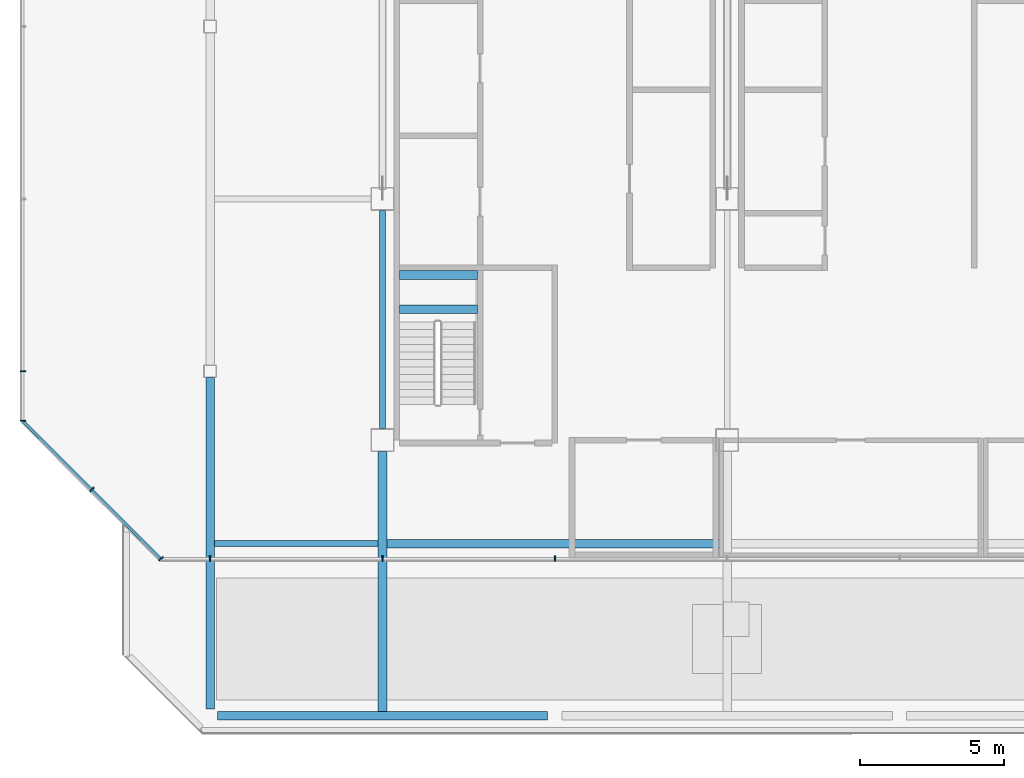
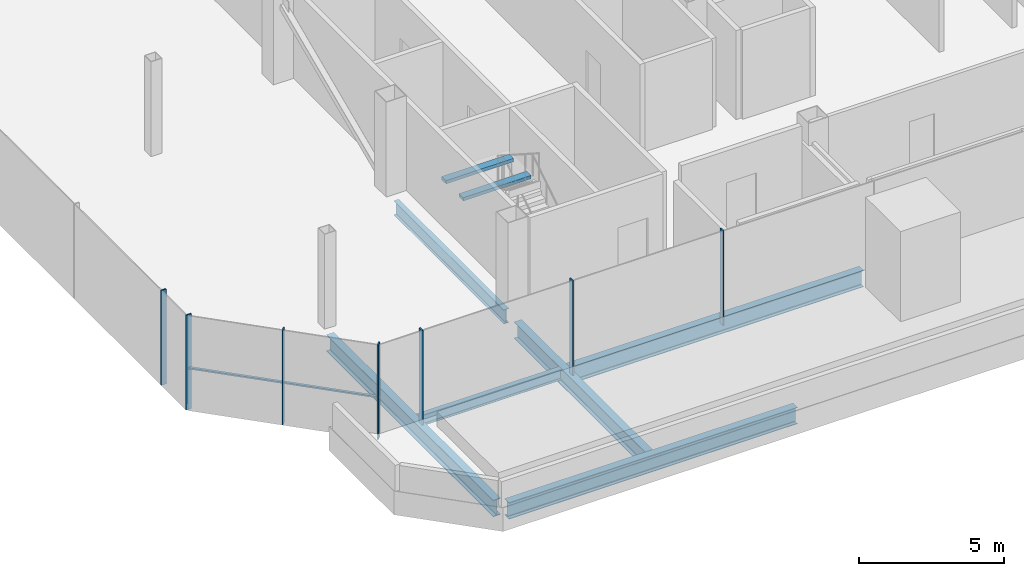
# One storey, part 2 of 18: 8 beams, 8 members, 3 elements without a shape of their own.
"""IFC4 building model written with IfcOpenShell, lengths in metres."""

from ifc_helpers import new_model, si_unit, direction, frame, origin, origin_2d, place, context, subcontext, project, spatial, rectangle, i_section, extrude, material, material_profile, profile_set, type_object, element, aggregate, save


model = new_model("IFC4")

# Units and contexts
model_context = context("Model", 3, precision=1e-05, world=origin(), true_north=direction((0.0, 1.0)))
body_context = subcontext(model_context, "Body", "Model", "MODEL_VIEW")
ifc_project = project(units=[si_unit("LENGTHUNIT", "METRE"), si_unit("AREAUNIT", "SQUARE_METRE"), si_unit("VOLUMEUNIT", "CUBIC_METRE"), si_unit("PLANEANGLEUNIT", "RADIAN"), si_unit("MASSUNIT", "GRAM", prefix="KILO")], contexts=[model_context])

# Site, building, storey
site_placement = place(None, origin())
site = spatial("IfcSite", under=ifc_project, at=site_placement, CompositionType="ELEMENT")
building_placement = place(site_placement, origin())
building = spatial("IfcBuilding", under=site, at=building_placement, Name="Sorahane Residences", CompositionType="ELEMENT")
storey_placement = place(building_placement, frame((0.0, 0.0, 345.800048828125)))
storey = spatial("IfcBuildingStorey", under=building, at=storey_placement, Name="L82", CompositionType="ELEMENT", Elevation=345.800048828125)

# Curtain wall, members
ifc_material_1 = material(Name="Dark low-e glass and black anodised aluminium", Category="aluminium")
curtain_wall_type = type_object("IfcCurtainWallType", Name="Curtain wall CW-6 Crown unitised wall", PredefinedType="NOTDEFINED", material=ifc_material_1)
curtain_wall_1_placement = place(storey_placement, origin())
curtain_wall_1 = element("IfcCurtainWall", 1, at=curtain_wall_1_placement, inside=storey, type_object=curtain_wall_type, Name="CW-6 curtain wall L82 S1", PredefinedType="NOTDEFINED")
ifc_material_2 = material(Name="Black anodised aluminium", Category="aluminium")
ifc_material_profile_1 = material_profile(ifc_material_2, rectangle(XDim=0.199951171875, YDim=0.050048828125, at=origin_2d()), Name="Curtain wall mullion CW-6 black anodised aluminium 50x200")
ifc_profile_set_1 = profile_set([ifc_material_profile_1], Name="Black anodised aluminium")
member_type_1 = type_object("IfcMemberType", Name="Curtain wall mullion CW-6 black anodised aluminium 50x200", PredefinedType="MULLION", material=ifc_profile_set_1)
member_1_placement = place(storey_placement, frame((0.0, 17.47998046875, -0.25), z_axis=(0.0, 0.0, 1.0), x_axis=(0.0, -1.0, 0.0)))
member_1 = element("IfcMember", 2, at=member_1_placement, type_object=member_type_1, Name="CW-6 mullion L82 S1.2", PredefinedType="MULLION", context=body_context, shape_type="SweptSolid", body=[
    extrude(rectangle(XDim=0.199951171875, YDim=0.050048828125, at=origin_2d()), origin(), (0.0, 0.0, 1.0), 4.0),
])
member_2_placement = place(storey_placement, frame((6.0, 17.47998046875, -0.25), z_axis=(0.0, 0.0, 1.0), x_axis=(0.0, -1.0, 0.0)))
member_2 = element("IfcMember", 3, at=member_2_placement, type_object=member_type_1, Name="CW-6 mullion L82 S1.3", PredefinedType="MULLION", context=body_context, shape_type="SweptSolid", body=[
    extrude(rectangle(XDim=0.199951171875, YDim=0.050048828125, at=origin_2d()), origin(), (0.0, 0.0, 1.0), 4.0),
])
member_3_placement = place(storey_placement, frame((12.0, 17.47998046875, -0.25), z_axis=(0.0, 0.0, 1.0), x_axis=(0.0, -1.0, 0.0)))
member_3 = element("IfcMember", 4, at=member_3_placement, type_object=member_type_1, Name="CW-6 mullion L82 S1.4", PredefinedType="MULLION", context=body_context, shape_type="SweptSolid", body=[
    extrude(rectangle(XDim=0.199951171875, YDim=0.050048828125, at=origin_2d()), origin(), (0.0, 0.0, 1.0), 4.0),
])
aggregate(curtain_wall_1, [member_1, member_2, member_3])

curtain_wall_2_placement = place(storey_placement, origin())
curtain_wall_2 = element("IfcCurtainWall", 5, at=curtain_wall_2_placement, inside=storey, type_object=curtain_wall_type, Name="CW-6 curtain wall L82 W1", PredefinedType="NOTDEFINED")
member_4_placement = place(storey_placement, frame((-6.52001953125, 24.0, -0.25), z_axis=(0.0, 0.0, 1.0), x_axis=(-1.0, 0.0, 0.0)))
member_4 = element("IfcMember", 6, at=member_4_placement, type_object=member_type_1, Name="CW-6 mullion L82 W1.5", PredefinedType="MULLION", context=body_context, shape_type="SweptSolid", body=[
    extrude(rectangle(XDim=0.199951171875, YDim=0.050048828125, at=origin_2d()), origin(), (0.0, 0.0, 1.0), 4.0),
])
member_5_placement = place(storey_placement, frame((-6.52001953125, 22.2763671875, -0.25), z_axis=(0.0, 0.0, 1.0), x_axis=(-1.0, 0.0, 0.0)))
member_5 = element("IfcMember", 7, at=member_5_placement, type_object=member_type_1, Name="CW-6 mullion L82 W1.6", PredefinedType="MULLION", context=body_context, shape_type="SweptSolid", body=[
    extrude(rectangle(XDim=0.199951171875, YDim=0.050048828125, at=origin_2d()), origin(), (0.0, 0.0, 1.0), 4.0),
])
aggregate(curtain_wall_2, [member_4, member_5])

curtain_wall_3_placement = place(storey_placement, origin())
curtain_wall_3 = element("IfcCurtainWall", 8, at=curtain_wall_3_placement, inside=storey, type_object=curtain_wall_type, Name="CW-6 curtain wall L82 SW1", PredefinedType="NOTDEFINED")
member_6_placement = place(storey_placement, frame((-4.11767578125, 19.88232421875, -0.25), z_axis=(0.0, 0.0, 1.0), x_axis=(-0.707106781187, -0.707106781187, 0.0)))
member_6 = element("IfcMember", 9, at=member_6_placement, type_object=member_type_1, Name="CW-6 mullion L82 SW1.2", PredefinedType="MULLION", context=body_context, shape_type="SweptSolid", body=[
    extrude(rectangle(XDim=0.199951171875, YDim=0.050048828125, at=origin_2d()), origin(), (0.0, 0.0, 1.0), 4.0),
])
member_7_placement = place(storey_placement, frame((-1.709716796875, 17.474365234375, -0.25), z_axis=(0.0, 0.0, 1.0), x_axis=(-0.707106781187, -0.707106781187, 0.0)))
member_7 = element("IfcMember", 10, at=member_7_placement, type_object=member_type_1, Name="CW-6 mullion L82 SW1.3", PredefinedType="MULLION", context=body_context, shape_type="SweptSolid", body=[
    extrude(rectangle(XDim=0.199951171875, YDim=0.050048828125, at=origin_2d()), origin(), (0.0, 0.0, 1.0), 4.0),
])
ifc_material_3 = material(Name="Black anodised aluminium", Category="aluminium")
ifc_material_profile_2 = material_profile(ifc_material_3, rectangle(XDim=0.10009765625, YDim=0.06005859375, at=origin_2d()), Name="Curtain wall transom CW-6 black anodised aluminium 60x100")
ifc_profile_set_2 = profile_set([ifc_material_profile_2], Name="Black anodised aluminium")
member_type_2 = type_object("IfcMemberType", Name="Curtain wall transom CW-6 black anodised aluminium 60x100", PredefinedType="USERDEFINED", material=ifc_profile_set_2)
member_8_placement = place(storey_placement, frame((-6.51513671875, 22.265625, 1.5), z_axis=(0.707106781187, -0.707106781187, 0.0), x_axis=(0.707106781187, 0.707106781187, 0.0)))
member_8 = element("IfcMember", 11, at=member_8_placement, type_object=member_type_2, Name="CW-6 transom L82 SW1", ObjectType="TRANSOM", PredefinedType="USERDEFINED", context=body_context, shape_type="SweptSolid", body=[
    extrude(rectangle(XDim=0.10009765625, YDim=0.06005859375, at=origin_2d()), origin(), (0.0, 0.0, 1.0), 6.760986328125),
])
aggregate(curtain_wall_3, [member_6, member_7, member_8])

# Beams
ifc_material_4 = material(Name="Concrete C40", Category="concrete")
ifc_material_profile_3 = material_profile(ifc_material_4, rectangle(XDim=0.300048828125, YDim=0.139892578125, at=origin_2d()), Name="300x140")
ifc_profile_set_3 = profile_set([ifc_material_profile_3], Name="Concrete C40")
beam_type_1 = type_object("IfcBeamType", Name="RC landing beam 300 x 140 Concrete C40", PredefinedType="BEAM", material=ifc_profile_set_3)
for number, where, z_axis, x_axis, name in (
    (12, (6.60009765625, 26.159912109375, 1.72998046875), (1.0, 0.0, 0.0), (0.0, 1.0, 0.0), "Landing beam"),
    (13, (6.60009765625, 27.35009765625, 1.72998046875), (1.0, 0.0, 0.0), (0.0, 1.0, 0.0), "Landing beam"),
):
    element("IfcBeam", number, at=place(storey_placement, frame(where, z_axis=z_axis, x_axis=x_axis)), inside=storey, type_object=beam_type_1, Name=name, PredefinedType="BEAM", context=body_context, shape_type="SweptSolid", body=[
        extrude(rectangle(XDim=0.300048828125, YDim=0.139892578125, at=origin_2d()), origin(), (0.0, 0.0, 1.0), 2.699951171875),
    ])
ifc_material_5 = material(Name="Steel Q355B", Category="steel")
ifc_material_profile_4 = material_profile(ifc_material_5, i_section(OverallWidth=0.199951171875, OverallDepth=0.449951171875, WebThickness=0.009033203125, FlangeThickness=0.013916015625, FilletRadius=0.02001953125, at=origin_2d()), Name="HN 450x200x9x14")
ifc_profile_set_4 = profile_set([ifc_material_profile_4], Name="Steel Q355B")
beam_type_2 = type_object("IfcBeamType", Name="Steel floor beam HN 450x200x9x14 Q355B", PredefinedType="BEAM", material=ifc_profile_set_4)
beam_1_placement = place(storey_placement, frame((0.14990234375, 18.0, -0.47509765625), z_axis=(1.0, 0.0, 0.0), x_axis=(0.0, 1.0, 0.0)))
element("IfcBeam", 14, at=beam_1_placement, inside=storey, type_object=beam_type_2, Name="Beam L82 031", PredefinedType="BEAM", context=body_context, shape_type="SweptSolid", body=[
    extrude(i_section(OverallWidth=0.199951171875, OverallDepth=0.449951171875, WebThickness=0.009033203125, FlangeThickness=0.013916015625, FilletRadius=0.02001953125, at=origin_2d()), origin(), (0.0, 0.0, 1.0), 5.7001953125),
])
ifc_material_6 = material(Name="Steel Q355B", Category="steel")
ifc_material_profile_5 = material_profile(ifc_material_6, i_section(OverallWidth=0.199951171875, OverallDepth=0.60009765625, WebThickness=0.010986328125, FlangeThickness=0.01708984375, FilletRadius=0.02392578125, at=origin_2d()), Name="HN 600x200x11x17")
ifc_profile_set_5 = profile_set([ifc_material_profile_5], Name="Steel Q355B")
beam_type_3 = type_object("IfcBeamType", Name="Steel floor beam HN 600x200x11x17 Q355B", PredefinedType="BEAM", material=ifc_profile_set_5)
beam_2_placement = place(storey_placement, frame((6.0, 22.0, -0.550048828125), z_axis=(0.0, 1.0, 0.0), x_axis=(-1.0, 0.0, 0.0)))
element("IfcBeam", 15, at=beam_2_placement, inside=storey, type_object=beam_type_3, Name="Beam L82 012", PredefinedType="BEAM", context=body_context, shape_type="SweptSolid", body=[
    extrude(i_section(OverallWidth=0.199951171875, OverallDepth=0.60009765625, WebThickness=0.010986328125, FlangeThickness=0.01708984375, FilletRadius=0.02392578125, at=origin_2d()), origin(), (0.0, 0.0, 1.0), 7.60009765625),
])
ifc_material_7 = material(Name="Steel Q355B", Category="steel")
ifc_material_profile_6 = material_profile(ifc_material_7, i_section(OverallWidth=0.300048828125, OverallDepth=0.699951171875, WebThickness=0.012939453125, FlangeThickness=0.02392578125, FilletRadius=0.028076171875, at=origin_2d()), Name="HN 700x300x13x24")
ifc_profile_set_6 = profile_set([ifc_material_profile_6], Name="Steel Q355B")
beam_type_4 = type_object("IfcBeamType", Name="Steel floor beam HN 700x300x13x24 Q355B", PredefinedType="BEAM", material=ifc_profile_set_6)
beam_3_placement = place(storey_placement, frame((0.25, 12.0, -0.60009765625), z_axis=(1.0, 0.0, 0.0), x_axis=(0.0, 1.0, 0.0)))
element("IfcBeam", 16, at=beam_3_placement, inside=storey, type_object=beam_type_4, Name="Beam L82 000", PredefinedType="BEAM", context=body_context, shape_type="SweptSolid", body=[
    extrude(i_section(OverallWidth=0.300048828125, OverallDepth=0.699951171875, WebThickness=0.012939453125, FlangeThickness=0.02392578125, FilletRadius=0.028076171875, at=origin_2d()), origin(), (0.0, 0.0, 1.0), 11.5),
])
beam_4_placement = place(storey_placement, frame((0.0, 12.25, -0.60009765625), z_axis=(0.0, 1.0, 0.0), x_axis=(-1.0, 0.0, 0.0)))
element("IfcBeam", 17, at=beam_4_placement, inside=storey, type_object=beam_type_4, Name="Beam L82 008", PredefinedType="BEAM", context=body_context, shape_type="SweptSolid", body=[
    extrude(i_section(OverallWidth=0.300048828125, OverallDepth=0.699951171875, WebThickness=0.012939453125, FlangeThickness=0.02392578125, FilletRadius=0.028076171875, at=origin_2d()), origin(), (0.0, 0.0, 1.0), 11.52490234375),
])
beam_5_placement = place(storey_placement, frame((6.0, 12.14990234375, -0.60009765625), z_axis=(0.0, 1.0, 0.0), x_axis=(-1.0, 0.0, 0.0)))
element("IfcBeam", 18, at=beam_5_placement, inside=storey, type_object=beam_type_4, Name="Beam L82 011", PredefinedType="BEAM", context=body_context, shape_type="SweptSolid", body=[
    extrude(i_section(OverallWidth=0.300048828125, OverallDepth=0.699951171875, WebThickness=0.012939453125, FlangeThickness=0.02392578125, FilletRadius=0.028076171875, at=origin_2d()), origin(), (0.0, 0.0, 1.0), 9.050048828125),
])
beam_6_placement = place(storey_placement, frame((6.14990234375, 18.0, -0.60009765625), z_axis=(1.0, 0.0, 0.0), x_axis=(0.0, 1.0, 0.0)))
element("IfcBeam", 19, at=beam_6_placement, inside=storey, type_object=beam_type_4, Name="Beam L82 032", PredefinedType="BEAM", context=body_context, shape_type="SweptSolid", body=[
    extrude(i_section(OverallWidth=0.300048828125, OverallDepth=0.699951171875, WebThickness=0.012939453125, FlangeThickness=0.02392578125, FilletRadius=0.028076171875, at=origin_2d()), origin(), (0.0, 0.0, 1.0), 11.7001953125),
])

save(model, "model.ifc")
